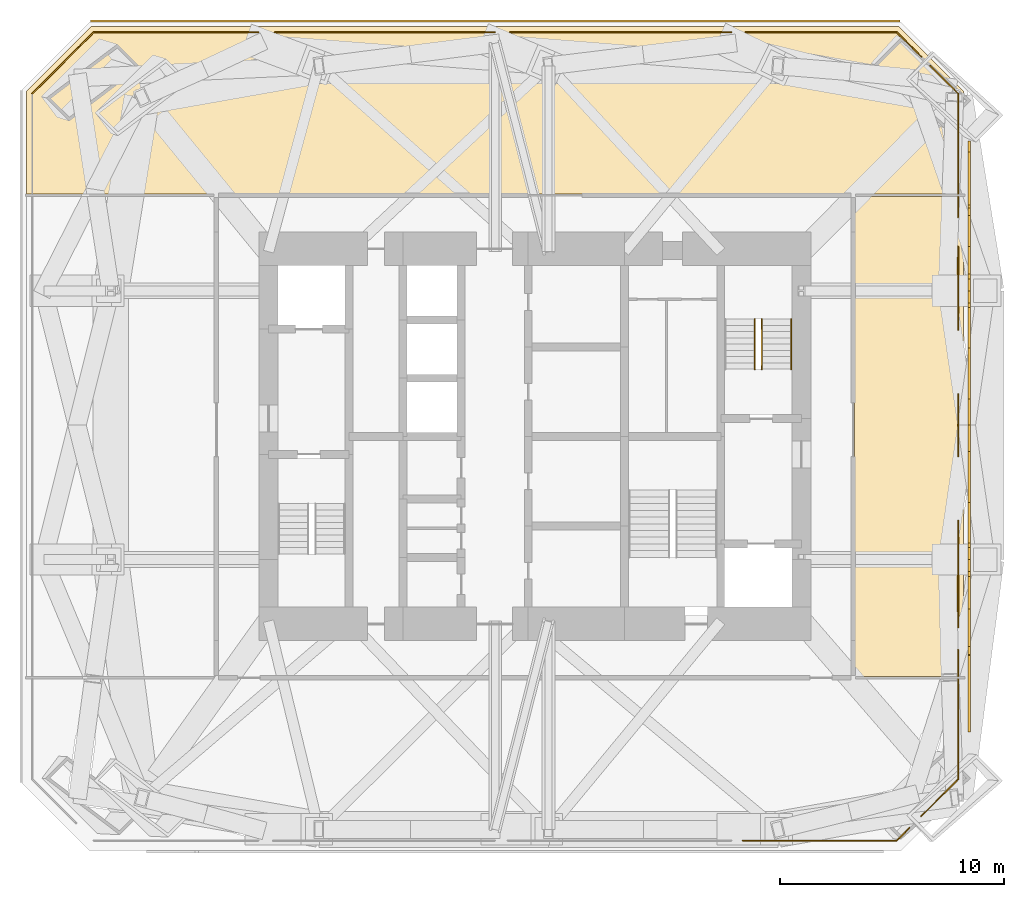
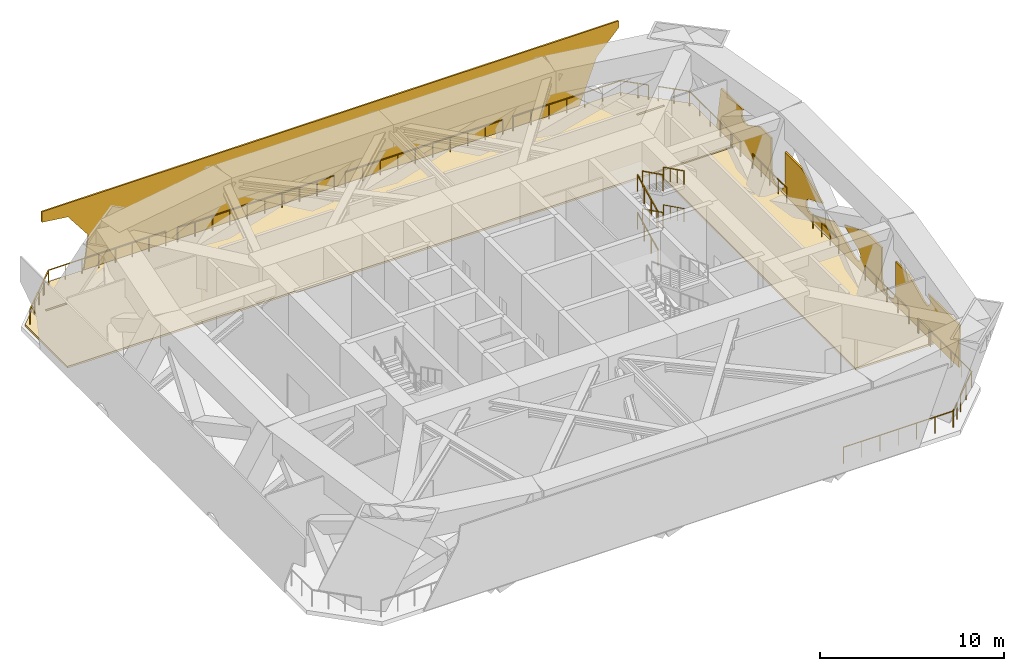
# One storey, part 8 of 8: 25 railings, 2 coverings, 2 shading devices.
"""IFC4 building model written with IfcOpenShell, lengths in metres."""

from ifc_helpers import new_model, si_unit, direction, frame, origin, origin_2d, place, context, subcontext, project, spatial, polyline, rectangle, circle, outline, extrude, material, layer, layer_set, constituent, constituent_set, type_object, element, save


model = new_model("IFC4")

# Units and contexts
model_context = context("Model", 3, precision=1e-05, world=origin(), true_north=direction((0.0, 1.0)))
body_context = subcontext(model_context, "Body", "Model", "MODEL_VIEW")
ifc_project = project(units=[si_unit("LENGTHUNIT", "METRE"), si_unit("AREAUNIT", "SQUARE_METRE"), si_unit("VOLUMEUNIT", "CUBIC_METRE"), si_unit("PLANEANGLEUNIT", "RADIAN"), si_unit("MASSUNIT", "GRAM", prefix="KILO")], contexts=[model_context])

# Site, building, storey
site_placement = place(None, origin())
site = spatial("IfcSite", under=ifc_project, at=site_placement, CompositionType="ELEMENT")
building_placement = place(site_placement, origin())
building = spatial("IfcBuilding", under=site, at=building_placement, Name="Jalousie Tower", CompositionType="ELEMENT")
storey_placement = place(building_placement, frame((0.0, 0.0, 149.35009765625)))
storey = spatial("IfcBuildingStorey", under=building, at=storey_placement, Name="L40", CompositionType="ELEMENT", Elevation=149.35009765625)

# Coverings
ifc_material_1 = material(Name="Sand-cement screed on resilient layer", Category="concrete")
ifc_layer_1 = layer(ifc_material_1, 0.1201171875)
ifc_layer_set_1 = layer_set([ifc_layer_1], Name="Sand-cement screed on resilient layer")
covering_type = type_object("IfcCoveringType", Name="FLOATING PLANT SCREED 120", PredefinedType="FLOORING", material=ifc_layer_set_1)
covering_1_placement = place(storey_placement, origin())
element("IfcCovering", 1, at=covering_1_placement, inside=storey, type_object=covering_type, Name="Floating screed Pump room", PredefinedType="FLOORING", context=body_context, shape_type="SweptSolid", body=[
    extrude(outline(polyline([(9.199951171875, 33.917236328125), (12.082763671875, 36.800048828125), (48.167236328125, 36.800048828125), (51.050048828125, 33.917236328125), (51.050048828125, 29.324951171875), (9.199951171875, 29.324951171875), (9.199951171875, 33.917236328125)]), holes=[polyline([(47.91015625, 34.447509765625), (49.610107421875, 34.447509765625), (49.610107421875, 34.572509765625), (47.91015625, 34.572509765625), (47.91015625, 34.447509765625)]), polyline([(10.83984375, 34.447509765625), (12.139892578125, 34.447509765625), (12.139892578125, 34.572509765625), (10.83984375, 34.572509765625), (10.83984375, 34.447509765625)])]), origin(), (0.0, 0.0, 1.0), 0.119873046875),
])
covering_2_placement = place(storey_placement, origin())
element("IfcCovering", 2, at=covering_2_placement, inside=storey, type_object=covering_type, Name="Floating screed Water tank room", PredefinedType="FLOORING", context=body_context, shape_type="SweptSolid", body=[
    extrude(outline(polyline([(51.050048828125, 29.22509765625), (51.050048828125, 7.77490234375), (46.175048828125, 7.77490234375), (46.175048828125, 29.22509765625), (51.050048828125, 29.22509765625)])), origin(), (0.0, 0.0, 1.0), 0.119873046875),
])

# Railings
ifc_material_2 = material(Name="Stainless steel AISI 316", Category="steel")
railing_type_1 = type_object("IfcRailingType", Name="PLANT GUARDRAIL 1100", PredefinedType="GUARDRAIL", material=ifc_material_2)
railing_1_placement = place(storey_placement, frame((9.449951171875, 33.813720703125, 0.0)))
element("IfcRailing", 3, at=railing_1_placement, inside=storey, type_object=railing_type_1, Name="Plant floor guard L40 5", PredefinedType="GUARDRAIL", context=body_context, shape_type="SweptSolid", body=[
    extrude(rectangle(XDim=0.048095703125, YDim=0.048095703125, at=origin_2d()), frame((0.0, 0.0, 1.076171875), z_axis=(0.707149513127, 0.707064046664, 0.0), x_axis=(-0.707064046664, 0.707149513127, 0.0)), (0.0, 0.0, 1.0), 2.8564453125),
    extrude(circle(Radius=0.02099609375, at=origin_2d()), origin(), (0.0, 0.0, 1.0), 1.052001953125),
    extrude(circle(Radius=0.02099609375, at=origin_2d()), frame((0.67333984375, 0.67333984375, 0.0)), (0.0, 0.0, 1.0), 1.052001953125),
    extrude(circle(Radius=0.02099609375, at=origin_2d()), frame((1.3466796875, 1.346435546875, 0.0)), (0.0, 0.0, 1.0), 1.052001953125),
    extrude(circle(Radius=0.02099609375, at=origin_2d()), frame((2.02001953125, 2.019775390625, 0.0)), (0.0, 0.0, 1.0), 1.052001953125),
])
railing_2_placement = place(storey_placement, frame((11.510009765625, 35.87353515625, 0.0)))
element("IfcRailing", 4, at=railing_2_placement, inside=storey, type_object=railing_type_1, Name="Plant floor guard L40 6", PredefinedType="GUARDRAIL", context=body_context, shape_type="SweptSolid", body=[
    extrude(rectangle(XDim=0.048095703125, YDim=0.048095703125, at=origin_2d()), frame((0.0, 0.0, 1.076171875), z_axis=(0.706979156105, 0.707234383237, 0.0), x_axis=(-0.707234383237, 0.706979156105, 0.0)), (0.0, 0.0, 1.0), 0.95654296875),
    extrude(circle(Radius=0.02099609375, at=origin_2d()), origin(), (0.0, 0.0, 1.0), 1.052001953125),
    extrude(circle(Radius=0.02099609375, at=origin_2d()), frame((0.67626953125, 0.676513671875, 0.0)), (0.0, 0.0, 1.0), 1.052001953125),
])
railing_3_placement = place(storey_placement, frame((12.186279296875, 36.550048828125, 0.0)))
element("IfcRailing", 5, at=railing_3_placement, inside=storey, type_object=railing_type_1, Name="Plant floor guard L40 7", PredefinedType="GUARDRAIL", context=body_context, shape_type="SweptSolid", body=[
    extrude(rectangle(XDim=0.048095703125, YDim=0.048095703125, at=origin_2d()), frame((0.0, 0.0, 1.076171875), z_axis=(1.0, 0.0, 0.0), x_axis=(0.0, 1.0, 0.0)), (0.0, 0.0, 1.0), 7.356201171875),
    extrude(circle(Radius=0.02099609375, at=origin_2d()), origin(), (0.0, 0.0, 1.0), 1.052001953125),
    extrude(circle(Radius=0.02099609375, at=origin_2d()), frame((1.05078125, 0.0, 0.0)), (0.0, 0.0, 1.0), 1.052001953125),
    extrude(circle(Radius=0.02099609375, at=origin_2d()), frame((2.101806640625, 0.0, 0.0)), (0.0, 0.0, 1.0), 1.052001953125),
    extrude(circle(Radius=0.02099609375, at=origin_2d()), frame((3.152587890625, 0.0, 0.0)), (0.0, 0.0, 1.0), 1.052001953125),
    extrude(circle(Radius=0.02099609375, at=origin_2d()), frame((4.20361328125, 0.0, 0.0)), (0.0, 0.0, 1.0), 1.052001953125),
    extrude(circle(Radius=0.02099609375, at=origin_2d()), frame((5.25439453125, 0.0, 0.0)), (0.0, 0.0, 1.0), 1.052001953125),
    extrude(circle(Radius=0.02099609375, at=origin_2d()), frame((6.305419921875, 0.0, 0.0)), (0.0, 0.0, 1.0), 1.052001953125),
    extrude(circle(Radius=0.02099609375, at=origin_2d()), frame((7.356201171875, 0.0, 0.0)), (0.0, 0.0, 1.0), 1.052001953125),
])
railing_4_placement = place(storey_placement, frame((20.283447265625, 36.550048828125, 0.0)))
element("IfcRailing", 6, at=railing_4_placement, inside=storey, type_object=railing_type_1, Name="Plant floor guard L40 8", PredefinedType="GUARDRAIL", context=body_context, shape_type="SweptSolid", body=[
    extrude(rectangle(XDim=0.048095703125, YDim=0.048095703125, at=origin_2d()), frame((0.0, 0.0, 1.076171875), z_axis=(1.0, 0.0, 0.0), x_axis=(0.0, 1.0, 0.0)), (0.0, 0.0, 1.0), 9.821533203125),
    extrude(circle(Radius=0.02099609375, at=origin_2d()), origin(), (0.0, 0.0, 1.0), 1.052001953125),
    extrude(circle(Radius=0.02099609375, at=origin_2d()), frame((1.09130859375, 0.0, 0.0)), (0.0, 0.0, 1.0), 1.052001953125),
    extrude(circle(Radius=0.02099609375, at=origin_2d()), frame((2.1826171875, 0.0, 0.0)), (0.0, 0.0, 1.0), 1.052001953125),
    extrude(circle(Radius=0.02099609375, at=origin_2d()), frame((3.27392578125, 0.0, 0.0)), (0.0, 0.0, 1.0), 1.052001953125),
    extrude(circle(Radius=0.02099609375, at=origin_2d()), frame((4.365234375, 0.0, 0.0)), (0.0, 0.0, 1.0), 1.052001953125),
    extrude(circle(Radius=0.02099609375, at=origin_2d()), frame((5.456298828125, 0.0, 0.0)), (0.0, 0.0, 1.0), 1.052001953125),
    extrude(circle(Radius=0.02099609375, at=origin_2d()), frame((6.547607421875, 0.0, 0.0)), (0.0, 0.0, 1.0), 1.052001953125),
    extrude(circle(Radius=0.02099609375, at=origin_2d()), frame((7.638916015625, 0.0, 0.0)), (0.0, 0.0, 1.0), 1.052001953125),
    extrude(circle(Radius=0.02099609375, at=origin_2d()), frame((8.730224609375, 0.0, 0.0)), (0.0, 0.0, 1.0), 1.052001953125),
    extrude(circle(Radius=0.02099609375, at=origin_2d()), frame((9.821533203125, 0.0, 0.0)), (0.0, 0.0, 1.0), 1.052001953125),
])
railing_5_placement = place(storey_placement, frame((30.79296875, 36.550048828125, 0.0)))
element("IfcRailing", 7, at=railing_5_placement, inside=storey, type_object=railing_type_1, Name="Plant floor guard L40 9", PredefinedType="GUARDRAIL", context=body_context, shape_type="SweptSolid", body=[
    extrude(rectangle(XDim=0.048095703125, YDim=0.048095703125, at=origin_2d()), frame((0.0, 0.0, 1.076171875), z_axis=(1.0, 0.0, 0.0), x_axis=(0.0, 1.0, 0.0)), (0.0, 0.0, 1.0), 9.87451171875),
    extrude(circle(Radius=0.02099609375, at=origin_2d()), origin(), (0.0, 0.0, 1.0), 1.052001953125),
    extrude(circle(Radius=0.02099609375, at=origin_2d()), frame((1.09716796875, 0.0, 0.0)), (0.0, 0.0, 1.0), 1.052001953125),
    extrude(circle(Radius=0.02099609375, at=origin_2d()), frame((2.1943359375, 0.0, 0.0)), (0.0, 0.0, 1.0), 1.052001953125),
    extrude(circle(Radius=0.02099609375, at=origin_2d()), frame((3.29150390625, 0.0, 0.0)), (0.0, 0.0, 1.0), 1.052001953125),
    extrude(circle(Radius=0.02099609375, at=origin_2d()), frame((4.388671875, 0.0, 0.0)), (0.0, 0.0, 1.0), 1.052001953125),
    extrude(circle(Radius=0.02099609375, at=origin_2d()), frame((5.48583984375, 0.0, 0.0)), (0.0, 0.0, 1.0), 1.052001953125),
    extrude(circle(Radius=0.02099609375, at=origin_2d()), frame((6.5830078125, 0.0, 0.0)), (0.0, 0.0, 1.0), 1.052001953125),
    extrude(circle(Radius=0.02099609375, at=origin_2d()), frame((7.68017578125, 0.0, 0.0)), (0.0, 0.0, 1.0), 1.052001953125),
    extrude(circle(Radius=0.02099609375, at=origin_2d()), frame((8.77734375, 0.0, 0.0)), (0.0, 0.0, 1.0), 1.052001953125),
    extrude(circle(Radius=0.02099609375, at=origin_2d()), frame((9.87451171875, 0.0, 0.0)), (0.0, 0.0, 1.0), 1.052001953125),
])
railing_6_placement = place(storey_placement, frame((41.306640625, 36.550048828125, 0.0)))
element("IfcRailing", 8, at=railing_6_placement, inside=storey, type_object=railing_type_1, Name="Plant floor guard L40 10", PredefinedType="GUARDRAIL", context=body_context, shape_type="SweptSolid", body=[
    extrude(rectangle(XDim=0.048095703125, YDim=0.048095703125, at=origin_2d()), frame((0.0, 0.0, 1.076171875), z_axis=(1.0, 0.0, 0.0), x_axis=(0.0, 1.0, 0.0)), (0.0, 0.0, 1.0), 6.757080078125),
    extrude(circle(Radius=0.02099609375, at=origin_2d()), origin(), (0.0, 0.0, 1.0), 1.052001953125),
    extrude(circle(Radius=0.02099609375, at=origin_2d()), frame((1.126220703125, 0.0, 0.0)), (0.0, 0.0, 1.0), 1.052001953125),
    extrude(circle(Radius=0.02099609375, at=origin_2d()), frame((2.25244140625, 0.0, 0.0)), (0.0, 0.0, 1.0), 1.052001953125),
    extrude(circle(Radius=0.02099609375, at=origin_2d()), frame((3.37841796875, 0.0, 0.0)), (0.0, 0.0, 1.0), 1.052001953125),
    extrude(circle(Radius=0.02099609375, at=origin_2d()), frame((4.504638671875, 0.0, 0.0)), (0.0, 0.0, 1.0), 1.052001953125),
    extrude(circle(Radius=0.02099609375, at=origin_2d()), frame((5.630859375, 0.0, 0.0)), (0.0, 0.0, 1.0), 1.052001953125),
    extrude(circle(Radius=0.02099609375, at=origin_2d()), frame((6.757080078125, 0.0, 0.0)), (0.0, 0.0, 1.0), 1.052001953125),
])
railing_7_placement = place(storey_placement, frame((48.063720703125, 36.550048828125, 0.0)))
element("IfcRailing", 9, at=railing_7_placement, inside=storey, type_object=railing_type_1, Name="Plant floor guard L40 11", PredefinedType="GUARDRAIL", context=body_context, shape_type="SweptSolid", body=[
    extrude(rectangle(XDim=0.048095703125, YDim=0.048095703125, at=origin_2d()), frame((0.0, 0.0, 1.076171875), z_axis=(0.706979156105, -0.707234383237, 0.0), x_axis=(0.707234383237, 0.706979156105, 0.0)), (0.0, 0.0, 1.0), 0.95654296875),
    extrude(circle(Radius=0.02099609375, at=origin_2d()), origin(), (0.0, 0.0, 1.0), 1.052001953125),
    extrude(circle(Radius=0.02099609375, at=origin_2d()), frame((0.67626953125, -0.676513671875, 0.0)), (0.0, 0.0, 1.0), 1.052001953125),
])
railing_8_placement = place(storey_placement, frame((48.7802734375, 35.83349609375, 0.0)))
element("IfcRailing", 10, at=railing_8_placement, inside=storey, type_object=railing_type_1, Name="Plant floor guard L40 12", PredefinedType="GUARDRAIL", context=body_context, shape_type="SweptSolid", body=[
    extrude(rectangle(XDim=0.048095703125, YDim=0.048095703125, at=origin_2d()), frame((0.0, 0.0, 1.076171875), z_axis=(0.706882053163, -0.707331437812, 0.0), x_axis=(0.707331437812, 0.706882053163, 0.0)), (0.0, 0.0, 1.0), 0.543212890625),
    extrude(circle(Radius=0.02099609375, at=origin_2d()), origin(), (0.0, 0.0, 1.0), 1.052001953125),
    extrude(circle(Radius=0.02099609375, at=origin_2d()), frame((0.384033203125, -0.38427734375, 0.0)), (0.0, 0.0, 1.0), 1.052001953125),
])
railing_9_placement = place(storey_placement, frame((49.555419921875, 35.05810546875, 0.0)))
element("IfcRailing", 11, at=railing_9_placement, inside=storey, type_object=railing_type_1, Name="Plant floor guard L40 13", PredefinedType="GUARDRAIL", context=body_context, shape_type="SweptSolid", body=[
    extrude(rectangle(XDim=0.048095703125, YDim=0.048095703125, at=origin_2d()), frame((0.0, 0.0, 1.076171875), z_axis=(0.707176135978, -0.707037419592, 0.0), x_axis=(0.707037419592, 0.707176135978, 0.0)), (0.0, 0.0, 1.0), 1.760009765625),
    extrude(circle(Radius=0.02099609375, at=origin_2d()), origin(), (0.0, 0.0, 1.0), 1.052001953125),
    extrude(circle(Radius=0.02099609375, at=origin_2d()), frame((0.622314453125, -0.6220703125, 0.0)), (0.0, 0.0, 1.0), 1.052001953125),
    extrude(circle(Radius=0.02099609375, at=origin_2d()), frame((1.24462890625, -1.244384765625, 0.0)), (0.0, 0.0, 1.0), 1.052001953125),
])
railing_10_placement = place(storey_placement, frame((50.800048828125, 7.655029296875, 0.0)))
element("IfcRailing", 12, at=railing_10_placement, inside=storey, type_object=railing_type_1, Name="Plant floor guard L40 14", PredefinedType="GUARDRAIL", context=body_context, shape_type="SweptSolid", body=[
    extrude(rectangle(XDim=0.048095703125, YDim=0.048095703125, at=origin_2d()), frame((0.0, 0.0, 1.076171875), z_axis=(0.0, -1.0, 0.0), x_axis=(1.0, 0.0, 0.0)), (0.0, 0.0, 1.0), 4.46875),
    extrude(circle(Radius=0.02099609375, at=origin_2d()), origin(), (0.0, 0.0, 1.0), 1.052001953125),
    extrude(circle(Radius=0.02099609375, at=origin_2d()), frame((0.0, -1.1171875, 0.0)), (0.0, 0.0, 1.0), 1.052001953125),
    extrude(circle(Radius=0.02099609375, at=origin_2d()), frame((0.0, -2.234375, 0.0)), (0.0, 0.0, 1.0), 1.052001953125),
    extrude(circle(Radius=0.02099609375, at=origin_2d()), frame((0.0, -3.3515625, 0.0)), (0.0, 0.0, 1.0), 1.052001953125),
    extrude(circle(Radius=0.02099609375, at=origin_2d()), frame((0.0, -4.46875, 0.0)), (0.0, 0.0, 1.0), 1.052001953125),
])
railing_11_placement = place(storey_placement, frame((50.800048828125, 8.96728515625, 0.0)))
element("IfcRailing", 13, at=railing_11_placement, inside=storey, type_object=railing_type_1, Name="Plant floor guard L40 15", PredefinedType="GUARDRAIL", context=body_context, shape_type="SweptSolid", body=[
    extrude(rectangle(XDim=0.048095703125, YDim=0.048095703125, at=origin_2d()), frame((0.0, 0.0, 1.076171875), z_axis=(0.0, -1.0, 0.0), x_axis=(1.0, 0.0, 0.0)), (0.0, 0.0, 1.0), 1.17236328125),
    extrude(circle(Radius=0.02099609375, at=origin_2d()), origin(), (0.0, 0.0, 1.0), 1.052001953125),
    extrude(circle(Radius=0.02099609375, at=origin_2d()), frame((0.0, -1.17236328125, 0.0)), (0.0, 0.0, 1.0), 1.052001953125),
])
railing_12_placement = place(storey_placement, frame((50.800048828125, 14.7451171875, 0.0)))
element("IfcRailing", 14, at=railing_12_placement, inside=storey, type_object=railing_type_1, Name="Plant floor guard L40 16", PredefinedType="GUARDRAIL", context=body_context, shape_type="SweptSolid", body=[
    extrude(rectangle(XDim=0.048095703125, YDim=0.048095703125, at=origin_2d()), frame((0.0, 0.0, 1.076171875), z_axis=(0.0, -1.0, 0.0), x_axis=(1.0, 0.0, 0.0)), (0.0, 0.0, 1.0), 4.77099609375),
    extrude(circle(Radius=0.02099609375, at=origin_2d()), origin(), (0.0, 0.0, 1.0), 1.052001953125),
    extrude(circle(Radius=0.02099609375, at=origin_2d()), frame((0.0, -1.19287109375, 0.0)), (0.0, 0.0, 1.0), 1.052001953125),
    extrude(circle(Radius=0.02099609375, at=origin_2d()), frame((0.0, -2.385498046875, 0.0)), (0.0, 0.0, 1.0), 1.052001953125),
    extrude(circle(Radius=0.02099609375, at=origin_2d()), frame((0.0, -3.578125, 0.0)), (0.0, 0.0, 1.0), 1.052001953125),
    extrude(circle(Radius=0.02099609375, at=origin_2d()), frame((0.0, -4.77099609375, 0.0)), (0.0, 0.0, 1.0), 1.052001953125),
])
railing_13_placement = place(storey_placement, frame((50.800048828125, 20.395751953125, 0.0)))
element("IfcRailing", 15, at=railing_13_placement, inside=storey, type_object=railing_type_1, Name="Plant floor guard L40 17", PredefinedType="GUARDRAIL", context=body_context, shape_type="SweptSolid", body=[
    extrude(rectangle(XDim=0.048095703125, YDim=0.048095703125, at=origin_2d()), frame((0.0, 0.0, 1.076171875), z_axis=(0.0, -1.0, 0.0), x_axis=(1.0, 0.0, 0.0)), (0.0, 0.0, 1.0), 2.79150390625),
    extrude(circle(Radius=0.02099609375, at=origin_2d()), origin(), (0.0, 0.0, 1.0), 1.052001953125),
    extrude(circle(Radius=0.02099609375, at=origin_2d()), frame((0.0, -0.930419921875, 0.0)), (0.0, 0.0, 1.0), 1.052001953125),
    extrude(circle(Radius=0.02099609375, at=origin_2d()), frame((0.0, -1.861083984375, 0.0)), (0.0, 0.0, 1.0), 1.052001953125),
    extrude(circle(Radius=0.02099609375, at=origin_2d()), frame((0.0, -2.79150390625, 0.0)), (0.0, 0.0, 1.0), 1.052001953125),
])
railing_14_placement = place(storey_placement, frame((50.800048828125, 26.96630859375, 0.0)))
element("IfcRailing", 16, at=railing_14_placement, inside=storey, type_object=railing_type_1, Name="Plant floor guard L40 18", PredefinedType="GUARDRAIL", context=body_context, shape_type="SweptSolid", body=[
    extrude(rectangle(XDim=0.048095703125, YDim=0.048095703125, at=origin_2d()), frame((0.0, 0.0, 1.076171875), z_axis=(0.0, -1.0, 0.0), x_axis=(1.0, 0.0, 0.0)), (0.0, 0.0, 1.0), 3.71142578125),
    extrude(circle(Radius=0.02099609375, at=origin_2d()), origin(), (0.0, 0.0, 1.0), 1.052001953125),
    extrude(circle(Radius=0.02099609375, at=origin_2d()), frame((0.0, -0.927734375, 0.0)), (0.0, 0.0, 1.0), 1.052001953125),
    extrude(circle(Radius=0.02099609375, at=origin_2d()), frame((0.0, -1.855712890625, 0.0)), (0.0, 0.0, 1.0), 1.052001953125),
    extrude(circle(Radius=0.02099609375, at=origin_2d()), frame((0.0, -2.78369140625, 0.0)), (0.0, 0.0, 1.0), 1.052001953125),
    extrude(circle(Radius=0.02099609375, at=origin_2d()), frame((0.0, -3.71142578125, 0.0)), (0.0, 0.0, 1.0), 1.052001953125),
])
railing_15_placement = place(storey_placement, frame((50.800048828125, 29.205078125, 0.0)))
element("IfcRailing", 17, at=railing_15_placement, inside=storey, type_object=railing_type_1, Name="Plant floor guard L40 19", PredefinedType="GUARDRAIL", context=body_context, shape_type="SweptSolid", body=[
    extrude(rectangle(XDim=0.048095703125, YDim=0.048095703125, at=origin_2d()), frame((0.0, 0.0, 1.076171875), z_axis=(0.0, -1.0, 0.0), x_axis=(1.0, 0.0, 0.0)), (0.0, 0.0, 1.0), 0.91259765625),
    extrude(circle(Radius=0.02099609375, at=origin_2d()), origin(), (0.0, 0.0, 1.0), 1.052001953125),
    extrude(circle(Radius=0.02099609375, at=origin_2d()), frame((0.0, -0.91259765625, 0.0)), (0.0, 0.0, 1.0), 1.052001953125),
])
railing_16_placement = place(storey_placement, frame((50.800048828125, 33.813720703125, 0.0)))
element("IfcRailing", 18, at=railing_16_placement, inside=storey, type_object=railing_type_1, Name="Plant floor guard L40 20", PredefinedType="GUARDRAIL", context=body_context, shape_type="SweptSolid", body=[
    extrude(rectangle(XDim=0.048095703125, YDim=0.048095703125, at=origin_2d()), frame((0.0, 0.0, 1.076171875), z_axis=(0.0, -1.0, 0.0), x_axis=(1.0, 0.0, 0.0)), (0.0, 0.0, 1.0), 4.46875),
    extrude(circle(Radius=0.02099609375, at=origin_2d()), origin(), (0.0, 0.0, 1.0), 1.052001953125),
    extrude(circle(Radius=0.02099609375, at=origin_2d()), frame((0.0, -1.1171875, 0.0)), (0.0, 0.0, 1.0), 1.052001953125),
    extrude(circle(Radius=0.02099609375, at=origin_2d()), frame((0.0, -2.234375, 0.0)), (0.0, 0.0, 1.0), 1.052001953125),
    extrude(circle(Radius=0.02099609375, at=origin_2d()), frame((0.0, -3.3515625, 0.0)), (0.0, 0.0, 1.0), 1.052001953125),
    extrude(circle(Radius=0.02099609375, at=origin_2d()), frame((0.0, -4.46875, 0.0)), (0.0, 0.0, 1.0), 1.052001953125),
])
railing_17_placement = place(storey_placement, frame((48.6298828125, 1.016357421875, 0.0)))
element("IfcRailing", 19, at=railing_17_placement, inside=storey, type_object=railing_type_1, Name="Plant floor guard L40 21", PredefinedType="GUARDRAIL", context=body_context, shape_type="SweptSolid", body=[
    extrude(rectangle(XDim=0.048095703125, YDim=0.048095703125, at=origin_2d()), frame((0.0, 0.0, 1.076171875), z_axis=(-0.706954338208, -0.707259191308, 0.0), x_axis=(0.707259191308, -0.706954338208, 0.0)), (0.0, 0.0, 1.0), 0.80078125),
    extrude(circle(Radius=0.02099609375, at=origin_2d()), origin(), (0.0, 0.0, 1.0), 1.052001953125),
    extrude(circle(Radius=0.02099609375, at=origin_2d()), frame((-0.566162109375, -0.56640625, 0.0)), (0.0, 0.0, 1.0), 1.052001953125),
])
railing_18_placement = place(storey_placement, frame((50.800048828125, 3.186279296875, 0.0)))
element("IfcRailing", 20, at=railing_18_placement, inside=storey, type_object=railing_type_1, Name="Plant floor guard L40 22", PredefinedType="GUARDRAIL", context=body_context, shape_type="SweptSolid", body=[
    extrude(rectangle(XDim=0.048095703125, YDim=0.048095703125, at=origin_2d()), frame((0.0, 0.0, 1.076171875), z_axis=(-0.707158968114, -0.707054590407, 0.0), x_axis=(0.707054590407, -0.707158968114, 0.0)), (0.0, 0.0, 1.0), 2.339111328125),
    extrude(circle(Radius=0.02099609375, at=origin_2d()), origin(), (0.0, 0.0, 1.0), 1.052001953125),
    extrude(circle(Radius=0.02099609375, at=origin_2d()), frame((-0.8271484375, -0.826904296875, 0.0)), (0.0, 0.0, 1.0), 1.052001953125),
    extrude(circle(Radius=0.02099609375, at=origin_2d()), frame((-1.654052734375, -1.65380859375, 0.0)), (0.0, 0.0, 1.0), 1.052001953125),
])
railing_19_placement = place(storey_placement, frame((48.063720703125, 0.449951171875, 0.0)))
element("IfcRailing", 21, at=railing_19_placement, inside=storey, type_object=railing_type_1, Name="Plant floor guard L40 26", PredefinedType="GUARDRAIL", context=body_context, shape_type="SweptSolid", body=[
    extrude(rectangle(XDim=0.048095703125, YDim=0.048095703125, at=origin_2d()), frame((0.0, 0.0, 1.076171875), z_axis=(-1.0, 0.0, 0.0), x_axis=(0.0, -1.0, 0.0)), (0.0, 0.0, 1.0), 6.8818359375),
    extrude(circle(Radius=0.02099609375, at=origin_2d()), origin(), (0.0, 0.0, 1.0), 1.052001953125),
    extrude(circle(Radius=0.02099609375, at=origin_2d()), frame((-1.14697265625, 0.0, 0.0)), (0.0, 0.0, 1.0), 1.052001953125),
    extrude(circle(Radius=0.02099609375, at=origin_2d()), frame((-2.2939453125, 0.0, 0.0)), (0.0, 0.0, 1.0), 1.052001953125),
    extrude(circle(Radius=0.02099609375, at=origin_2d()), frame((-3.44091796875, 0.0, 0.0)), (0.0, 0.0, 1.0), 1.052001953125),
    extrude(circle(Radius=0.02099609375, at=origin_2d()), frame((-4.587890625, 0.0, 0.0)), (0.0, 0.0, 1.0), 1.052001953125),
    extrude(circle(Radius=0.02099609375, at=origin_2d()), frame((-5.73486328125, 0.0, 0.0)), (0.0, 0.0, 1.0), 1.052001953125),
    extrude(circle(Radius=0.02099609375, at=origin_2d()), frame((-6.8818359375, 0.0, 0.0)), (0.0, 0.0, 1.0), 1.052001953125),
])

# Shading devices
ifc_material_3 = material(Name="Aluminium storm louvres", Category="aluminium")
ifc_layer_2 = layer(ifc_material_3, 0.10009765625)
ifc_layer_set_2 = layer_set([ifc_layer_2], Name="Aluminium storm louvres")
shading_device_type = type_object("IfcShadingDeviceType", Name="PLANT LOUVRE SCREEN", PredefinedType="JALOUSIE", material=ifc_layer_set_2)
shading_device_1_placement = place(storey_placement, frame((51.35009765625, 5.373779296875, -0.150146484375), z_axis=(1.0, 0.0, 0.0), x_axis=(0.0, 1.0, 0.0)))
element("IfcShadingDevice", 22, at=shading_device_1_placement, inside=storey, type_object=shading_device_type, Name="Plant louvre screen L40 2", PredefinedType="JALOUSIE", context=body_context, shape_type="SweptSolid", body=[
    extrude(outline(polyline([(0.0, 0.0), (26.313232421875, 0.0), (25.82373046875, 2.85009765625), (23.46337890625, 2.85009765625), (23.623291015625, 2.657958984375), (23.591796875, 2.31494140625), (23.3271484375, 2.0947265625), (22.984130859375, 2.1259765625), (21.607177734375, 2.85009765625), (20.376220703125, 2.85009765625), (20.376220703125, 0.775146484375), (20.156494140625, 0.24462890625), (19.626220703125, 0.025146484375), (19.095947265625, 0.24462890625), (18.876220703125, 0.775146484375), (18.876220703125, 2.85009765625), (17.076171875, 2.85009765625), (14.796142578125, 1.900146484375), (16.349365234375, 1.2529296875), (16.59228515625, 1.0087890625), (16.591552734375, 0.66455078125), (16.347412109375, 0.42138671875), (16.003173828125, 0.422119140625), (13.626220703125, 1.41259765625), (11.249267578125, 0.422119140625), (10.905029296875, 0.42138671875), (10.660888671875, 0.66455078125), (10.66015625, 1.0087890625), (10.903076171875, 1.2529296875), (12.456298828125, 1.900146484375), (10.17626953125, 2.85009765625), (8.376220703125, 2.85009765625), (8.376220703125, 0.775146484375), (8.156494140625, 0.24462890625), (7.626220703125, 0.025146484375), (7.095947265625, 0.24462890625), (6.876220703125, 0.775146484375), (6.876220703125, 2.85009765625), (5.425537109375, 2.85009765625), (3.7412109375, 2.04541015625), (3.397216796875, 2.027099609375), (3.141357421875, 2.257568359375), (3.123046875, 2.6015625), (3.3466796875, 2.85009765625), (-0.08056640625, 2.85009765625), (0.0, 0.0)])), origin(), (0.0, 0.0, -1.0), 0.10009765625),
])
shading_device_2_placement = place(storey_placement, frame((48.199951171875, 37.10009765625, 4.719970703125), z_axis=(0.0, 1.0, 0.0), x_axis=(0.0, 0.0, -1.0)))
element("IfcShadingDevice", 23, at=shading_device_2_placement, inside=storey, type_object=shading_device_type, Name="Plant louvre screen L40 3", PredefinedType="JALOUSIE", context=body_context, shape_type="SweptSolid", body=[
    extrude(outline(polyline([(0.0, 0.0), (0.4453125, 0.0), (1.9140625, 1.38037109375), (4.8701171875, 2.49853515625), (4.8701171875, 33.64306640625), (4.64111328125, 33.51220703125), (2.56298828125, 33.24755859375), (0.906494140625, 34.52978515625), (0.7001953125, 36.14990234375), (0.0, 36.14990234375), (0.0, 0.0)])), origin(), (0.0, 0.0, -1.0), 0.10009765625),
])

# Railings
ifc_material_4 = material(Name="Steel ASTM A500 Grade C", Category="steel")
ifc_constituent_1 = constituent(ifc_material_4, Name="Body")
ifc_material_5 = material(Name="Hot-dip galvanised zinc coating")
ifc_constituent_2 = constituent(ifc_material_5, Name="Finish")
ifc_constituent_set_1 = constituent_set(constituents=[ifc_constituent_1, ifc_constituent_2])
railing_type_2 = type_object("IfcRailingType", Name="STAIR GUARD 1100", PredefinedType="GUARDRAIL", material=ifc_constituent_set_1)
railing_20_placement = place(storey_placement, frame((41.719970703125, 21.50244140625, 0.138916015625)))
element("IfcRailing", 24, at=railing_20_placement, inside=storey, type_object=railing_type_2, Name="Exit stair B guard L40 flight 1", PredefinedType="GUARDRAIL", context=body_context, shape_type="SweptSolid", body=[
    extrude(rectangle(XDim=0.048095703125, YDim=0.048095703125, at=origin_2d()), frame((0.0, 0.0, 1.076171875), z_axis=(0.0, 0.895848192791, 0.444360231651), x_axis=(-1.0, 0.0, 0.0)), (0.0, 0.0, 1.0), 2.50048828125),
    extrude(circle(Radius=0.02099609375, at=origin_2d()), origin(), (0.0, 0.0, 1.0), 1.052001953125),
    extrude(circle(Radius=0.02099609375, at=origin_2d()), frame((0.0, 0.74658203125, 0.370361328125)), (0.0, 0.0, 1.0), 1.052001953125),
    extrude(circle(Radius=0.02099609375, at=origin_2d()), frame((0.0, 1.493408203125, 0.74072265625)), (0.0, 0.0, 1.0), 1.052001953125),
    extrude(circle(Radius=0.02099609375, at=origin_2d()), frame((0.0, 2.239990234375, 1.111083984375)), (0.0, 0.0, 1.0), 1.052001953125),
])
railing_21_placement = place(storey_placement, frame((42.030029296875, 23.742431640625, 1.388916015625)))
element("IfcRailing", 25, at=railing_21_placement, inside=storey, type_object=railing_type_2, Name="Exit stair B guard L40 flight 2", PredefinedType="GUARDRAIL", context=body_context, shape_type="SweptSolid", body=[
    extrude(rectangle(XDim=0.048095703125, YDim=0.048095703125, at=origin_2d()), frame((0.0, 0.0, 1.076171875), z_axis=(0.0, -0.895848192791, 0.444360231651), x_axis=(1.0, 0.0, 0.0)), (0.0, 0.0, 1.0), 2.50048828125),
    extrude(circle(Radius=0.02099609375, at=origin_2d()), origin(), (0.0, 0.0, 1.0), 1.052001953125),
    extrude(circle(Radius=0.02099609375, at=origin_2d()), frame((0.0, -0.74658203125, 0.370361328125)), (0.0, 0.0, 1.0), 1.052001953125),
    extrude(circle(Radius=0.02099609375, at=origin_2d()), frame((0.0, -1.493408203125, 0.74072265625)), (0.0, 0.0, 1.0), 1.052001953125),
    extrude(circle(Radius=0.02099609375, at=origin_2d()), frame((0.0, -2.239990234375, 1.111083984375)), (0.0, 0.0, 1.0), 1.052001953125),
])
railing_22_placement = place(storey_placement, frame((41.719970703125, 21.50244140625, 2.638916015625)))
element("IfcRailing", 26, at=railing_22_placement, inside=storey, type_object=railing_type_2, Name="Exit stair B guard L40 flight 3", PredefinedType="GUARDRAIL", context=body_context, shape_type="SweptSolid", body=[
    extrude(rectangle(XDim=0.048095703125, YDim=0.048095703125, at=origin_2d()), frame((0.0, 0.0, 1.076171875), z_axis=(0.0, 0.895848192791, 0.444360231651), x_axis=(-1.0, 0.0, 0.0)), (0.0, 0.0, 1.0), 2.50048828125),
    extrude(circle(Radius=0.02099609375, at=origin_2d()), origin(), (0.0, 0.0, 1.0), 1.052001953125),
    extrude(circle(Radius=0.02099609375, at=origin_2d()), frame((0.0, 0.74658203125, 0.370361328125)), (0.0, 0.0, 1.0), 1.052001953125),
    extrude(circle(Radius=0.02099609375, at=origin_2d()), frame((0.0, 1.493408203125, 0.74072265625)), (0.0, 0.0, 1.0), 1.052001953125),
    extrude(circle(Radius=0.02099609375, at=origin_2d()), frame((0.0, 2.239990234375, 1.111083984375)), (0.0, 0.0, 1.0), 1.052001953125),
])
railing_23_placement = place(storey_placement, frame((42.030029296875, 23.742431640625, 3.888916015625)))
element("IfcRailing", 27, at=railing_23_placement, inside=storey, type_object=railing_type_2, Name="Exit stair B guard L40 flight 4", PredefinedType="GUARDRAIL", context=body_context, shape_type="SweptSolid", body=[
    extrude(rectangle(XDim=0.048095703125, YDim=0.048095703125, at=origin_2d()), frame((0.0, 0.0, 1.076171875), z_axis=(0.0, -0.895848192791, 0.444360231651), x_axis=(1.0, 0.0, 0.0)), (0.0, 0.0, 1.0), 2.50048828125),
    extrude(circle(Radius=0.02099609375, at=origin_2d()), origin(), (0.0, 0.0, 1.0), 1.052001953125),
    extrude(circle(Radius=0.02099609375, at=origin_2d()), frame((0.0, -0.74658203125, 0.370361328125)), (0.0, 0.0, 1.0), 1.052001953125),
    extrude(circle(Radius=0.02099609375, at=origin_2d()), frame((0.0, -1.493408203125, 0.74072265625)), (0.0, 0.0, 1.0), 1.052001953125),
    extrude(circle(Radius=0.02099609375, at=origin_2d()), frame((0.0, -2.239990234375, 1.111083984375)), (0.0, 0.0, 1.0), 1.052001953125),
])
ifc_material_6 = material(Name="Steel ASTM A500 Grade C", Category="steel")
ifc_constituent_3 = constituent(ifc_material_6, Name="Body")
ifc_material_7 = material(Name="Hot-dip galvanised zinc coating")
ifc_constituent_4 = constituent(ifc_material_7, Name="Finish")
ifc_constituent_set_2 = constituent_set(constituents=[ifc_constituent_3, ifc_constituent_4])
railing_type_3 = type_object("IfcRailingType", Name="STAIR HANDRAIL 900", PredefinedType="HANDRAIL", material=ifc_constituent_set_2)
for number, where, name in (
    (28, (43.344970703125, 23.742431640625, 1.388916015625), "Exit stair B handrail L40 flight 2"),
    (29, (43.344970703125, 23.742431640625, 3.888916015625), "Exit stair B handrail L40 flight 4"),
):
    element("IfcRailing", number, at=place(storey_placement, frame(where)), inside=storey, type_object=railing_type_3, Name=name, PredefinedType="HANDRAIL", context=body_context, shape_type="SweptSolid", body=[
        extrude(circle(Radius=0.02392578125, at=origin_2d()), frame((0.0, 0.0, 0.8759765625), z_axis=(0.0, -0.895848192791, 0.444360231651), x_axis=(1.0, 0.0, 0.0)), (0.0, 0.0, 1.0), 2.50048828125),
        extrude(circle(Radius=0.02099609375, at=origin_2d()), origin(), (0.0, 0.0, 1.0), 0.851806640625),
        extrude(circle(Radius=0.02099609375, at=origin_2d()), frame((0.0, -0.74658203125, 0.370361328125)), (0.0, 0.0, 1.0), 0.851806640625),
        extrude(circle(Radius=0.02099609375, at=origin_2d()), frame((0.0, -1.493408203125, 0.74072265625)), (0.0, 0.0, 1.0), 0.851806640625),
        extrude(circle(Radius=0.02099609375, at=origin_2d()), frame((0.0, -2.239990234375, 1.111083984375)), (0.0, 0.0, 1.0), 0.851806640625),
    ])

save(model, "model.ifc")
